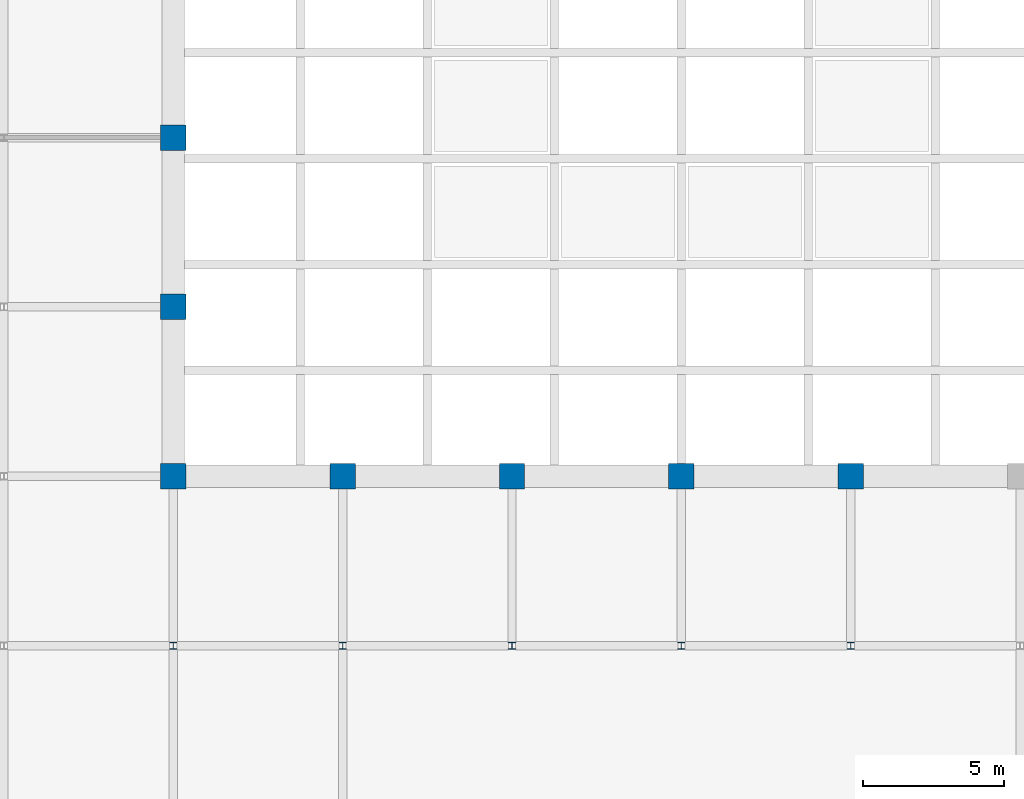
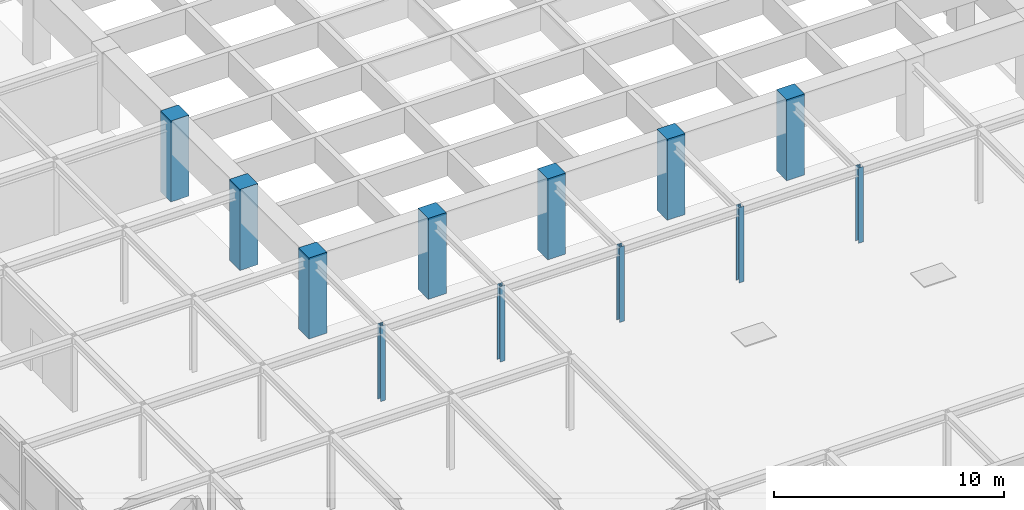
# One storey, part 10 of 111: 12 columns.
"""IFC4 building model written with IfcOpenShell, lengths in metres."""

from ifc_helpers import new_model, si_unit, direction, frame, origin, origin_2d, place, context, subcontext, project, spatial, rectangle, i_section, extrude, material, material_profile, profile_set, type_object, element, save


model = new_model("IFC4")

# Units and contexts
model_context = context("Model", 3, precision=1e-05, world=origin(), true_north=direction((0.0, 1.0)))
body_context = subcontext(model_context, "Body", "Model", "MODEL_VIEW")
ifc_project = project(units=[si_unit("LENGTHUNIT", "METRE"), si_unit("AREAUNIT", "SQUARE_METRE"), si_unit("VOLUMEUNIT", "CUBIC_METRE"), si_unit("PLANEANGLEUNIT", "RADIAN"), si_unit("MASSUNIT", "GRAM", prefix="KILO")], contexts=[model_context])

# Site, building, storey
site_placement = place(None, origin())
site = spatial("IfcSite", under=ifc_project, at=site_placement, CompositionType="ELEMENT")
building_placement = place(site_placement, origin())
building = spatial("IfcBuilding", under=site, at=building_placement, Name="Zlatovratsky Civic Hall", CompositionType="ELEMENT")
storey_placement = place(building_placement, frame((0.0, 0.0, 16.5)))
storey = spatial("IfcBuildingStorey", under=building, at=storey_placement, Name="L04", CompositionType="ELEMENT", Elevation=16.5)

# Columns
ifc_material_1 = material(Name="Concrete C35/45 (B40)", Category="concrete")
ifc_material_profile_1 = material_profile(ifc_material_1, rectangle(XDim=0.89990234375, YDim=0.89990234375, at=origin_2d()), Name="RC 900x900")
ifc_profile_set_1 = profile_set([ifc_material_profile_1], Name="Concrete C35/45 (B40)")
column_type_1 = type_object("IfcColumnType", Name="Col_ChamberPier_RC900", PredefinedType="COLUMN", material=ifc_profile_set_1)
for number, where, z_axis, x_axis, name in (
    (1, (66.0, 42.0, 0.0), (0.0, 0.0, 1.0), (1.0, 0.0, 0.0), "CL-1656"),
    (2, (72.0, 42.0, 0.0), (0.0, 0.0, 1.0), (1.0, 0.0, 0.0), "CL-1657"),
    (3, (78.0, 42.0, 0.0), (0.0, 0.0, 1.0), (1.0, 0.0, 0.0), "CL-1658"),
    (4, (84.0, 42.0, 0.0), (0.0, 0.0, 1.0), (1.0, 0.0, 0.0), "CL-1659"),
    (5, (90.0, 42.0, 0.0), (0.0, 0.0, 1.0), (1.0, 0.0, 0.0), "CL-1660"),
    (6, (66.0, 48.0, 0.0), (0.0, 0.0, 1.0), (1.0, 0.0, 0.0), "CL-1675"),
    (7, (66.0, 54.0, 0.0), (0.0, 0.0, 1.0), (1.0, 0.0, 0.0), "CL-1689"),
):
    element("IfcColumn", number, at=place(storey_placement, frame(where, z_axis=z_axis, x_axis=x_axis)), inside=storey, type_object=column_type_1, Name=name, PredefinedType="COLUMN", context=body_context, shape_type="SweptSolid", body=[
        extrude(rectangle(XDim=0.89990234375, YDim=0.89990234375, at=origin_2d()), origin(), (0.0, 0.0, 1.0), 4.300048828125),
    ])
ifc_material_2 = material(Name="Steel S355", Category="steel")
ifc_material_profile_2 = material_profile(ifc_material_2, i_section(OverallWidth=0.25, OverallDepth=0.25, WebThickness=0.009033203125, FlangeThickness=0.013916015625, FilletRadius=0.01611328125, at=origin_2d()), Name="25K2")
ifc_profile_set_2 = profile_set([ifc_material_profile_2], Name="Steel S355")
column_type_2 = type_object("IfcColumnType", Name="Col_Steel_25K2", PredefinedType="COLUMN", material=ifc_profile_set_2)
for number, where, z_axis, x_axis, name in (
    (8, (66.0, 36.0, 0.0), (0.0, 0.0, 1.0), (1.0, 0.0, 0.0), "CL-1637"),
    (9, (72.0, 36.0, 0.0), (0.0, 0.0, 1.0), (1.0, 0.0, 0.0), "CL-1638"),
    (10, (78.0, 36.0, 0.0), (0.0, 0.0, 1.0), (1.0, 0.0, 0.0), "CL-1639"),
    (11, (84.0, 36.0, 0.0), (0.0, 0.0, 1.0), (1.0, 0.0, 0.0), "CL-1640"),
    (12, (90.0, 36.0, 0.0), (0.0, 0.0, 1.0), (1.0, 0.0, 0.0), "CL-1641"),
):
    element("IfcColumn", number, at=place(storey_placement, frame(where, z_axis=z_axis, x_axis=x_axis)), inside=storey, type_object=column_type_2, Name=name, PredefinedType="COLUMN", context=body_context, shape_type="SweptSolid", body=[
        extrude(i_section(OverallWidth=0.25, OverallDepth=0.25, WebThickness=0.009033203125, FlangeThickness=0.013916015625, FilletRadius=0.01611328125, at=origin_2d()), origin(), (0.0, 0.0, 1.0), 4.0),
    ])

save(model, "model.ifc")
